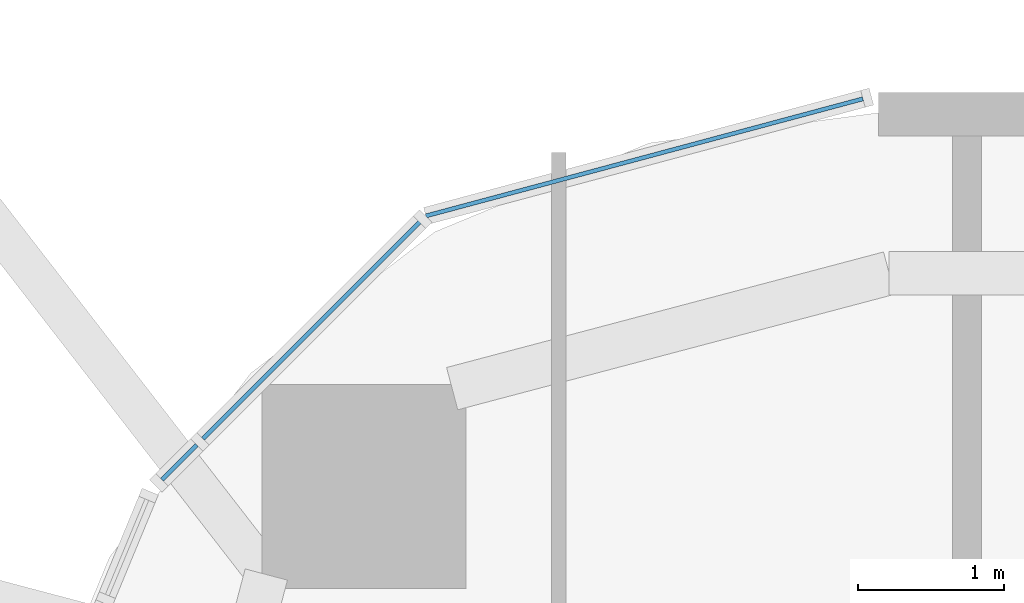
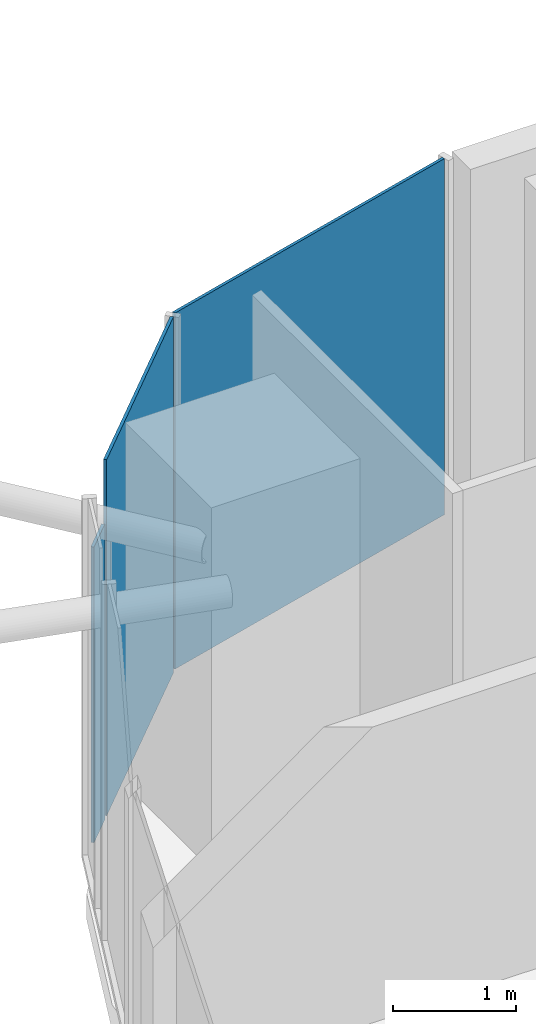
# One storey, part 20 of 31: 3 plates, 3 elements without a shape of their own.
"""IFC4 building model written with IfcOpenShell, lengths in metres."""

from ifc_helpers import new_model, si_unit, direction, frame, origin, origin_2d, place, context, subcontext, project, spatial, rectangle, extrude, material, layer, layer_set, type_object, element, aggregate, save


model = new_model("IFC4")

# Units and contexts
model_context = context("Model", 3, precision=1e-05, world=origin(), true_north=direction((0.0, 1.0)))
body_context = subcontext(model_context, "Body", "Model", "MODEL_VIEW")
ifc_project = project(units=[si_unit("LENGTHUNIT", "METRE"), si_unit("AREAUNIT", "SQUARE_METRE"), si_unit("VOLUMEUNIT", "CUBIC_METRE"), si_unit("PLANEANGLEUNIT", "RADIAN"), si_unit("MASSUNIT", "GRAM", prefix="KILO")], contexts=[model_context])

# Site, building, storey
site_placement = place(None, origin())
site = spatial("IfcSite", under=ifc_project, at=site_placement, CompositionType="ELEMENT")
building_placement = place(site_placement, origin())
building = spatial("IfcBuilding", under=site, at=building_placement, Name="Marenta Gate Hotel Tower", CompositionType="ELEMENT")
storey_placement = place(building_placement, frame((0.0, 0.0, 205.699951171875)))
storey = spatial("IfcBuildingStorey", under=building, at=storey_placement, Name="L47", CompositionType="ELEMENT", Elevation=205.699951171875)

# Curtain wall, plate
ifc_material_1 = material(Name="Tinted insulated glass in bronze anodised frame", Category="glass")
ifc_layer_1 = layer(ifc_material_1, 0.1201171875)
ifc_layer_set_1 = layer_set([ifc_layer_1], Name="Tinted insulated glass in bronze anodised frame")
curtain_wall_type = type_object("IfcCurtainWallType", Name="Tower unitised curtain wall CW1", PredefinedType="NOTDEFINED", material=ifc_layer_set_1)
curtain_wall_1_placement = place(storey_placement, origin())
curtain_wall_1 = element("IfcCurtainWall", 1, at=curtain_wall_1_placement, inside=storey, type_object=curtain_wall_type, Name="CW1 run G00", PredefinedType="NOTDEFINED")
ifc_material_2 = material(Name="Tinted insulated glass", Category="glass")
ifc_layer_2 = layer(ifc_material_2, 0.028076171875)
ifc_layer_set_2 = layer_set([ifc_layer_2], Name="Tinted insulated glass")
plate_type = type_object("IfcPlateType", Name="Glass panel CW1 28 mm tinted insulated unit", PredefinedType="CURTAIN_PANEL", material=ifc_layer_set_2)
plate_1_placement = place(storey_placement, frame((-20.813720703125, 22.19384765625, 0.06005859375), z_axis=(0.0, 0.0, 1.0), x_axis=(-0.965930559685, -0.258801379183, 0.0)))
plate_1 = element("IfcPlate", 2, at=plate_1_placement, type_object=plate_type, Name="CW1 panel 1.1", PredefinedType="CURTAIN_PANEL", context=body_context, shape_type="SweptSolid", body=[
    extrude(rectangle(XDim=3.104248046875, YDim=0.028076171875, at=origin_2d()), origin(), (0.0, 0.0, 1.0), 3.5400390625),
])
aggregate(curtain_wall_1, [plate_1])

curtain_wall_2_placement = place(storey_placement, origin())
curtain_wall_2 = element("IfcCurtainWall", 3, at=curtain_wall_2_placement, inside=storey, type_object=curtain_wall_type, Name="CW1 run G01", PredefinedType="NOTDEFINED")
plate_2_placement = place(storey_placement, frame((-23.0986328125, 21.00634765625, 0.06005859375), z_axis=(0.0, 0.0, 1.0), x_axis=(-0.707106781187, -0.707106781187, 0.0)))
plate_2 = element("IfcPlate", 4, at=plate_2_placement, type_object=plate_type, Name="CW1 panel 1.1", PredefinedType="CURTAIN_PANEL", context=body_context, shape_type="SweptSolid", body=[
    extrude(rectangle(XDim=2.1025390625, YDim=0.028076171875, at=origin_2d()), origin(), (0.0, 0.0, 1.0), 3.5400390625),
])
aggregate(curtain_wall_2, [plate_2])

curtain_wall_3_placement = place(storey_placement, origin())
curtain_wall_3 = element("IfcCurtainWall", 5, at=curtain_wall_3_placement, inside=storey, type_object=curtain_wall_type, Name="CW1 run G02", PredefinedType="NOTDEFINED")
plate_3_placement = place(storey_placement, frame((-24.003662109375, 20.1015625, 0.06005859375), z_axis=(0.0, 0.0, 1.0), x_axis=(-0.707106781187, -0.707106781187, 0.0)))
plate_3 = element("IfcPlate", 6, at=plate_3_placement, type_object=plate_type, Name="CW1 panel 1.1", PredefinedType="CURTAIN_PANEL", context=body_context, shape_type="SweptSolid", body=[
    extrude(rectangle(XDim=0.336669921875, YDim=0.028076171875, at=origin_2d()), origin(), (0.0, 0.0, 1.0), 2.9404296875),
])
aggregate(curtain_wall_3, [plate_3])

save(model, "model.ifc")
